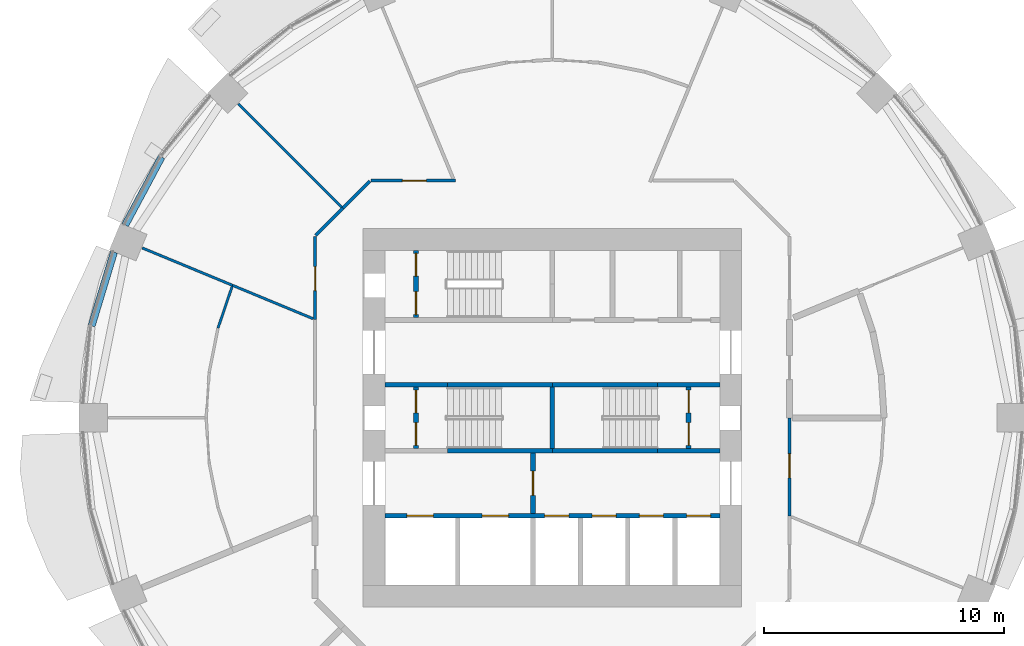
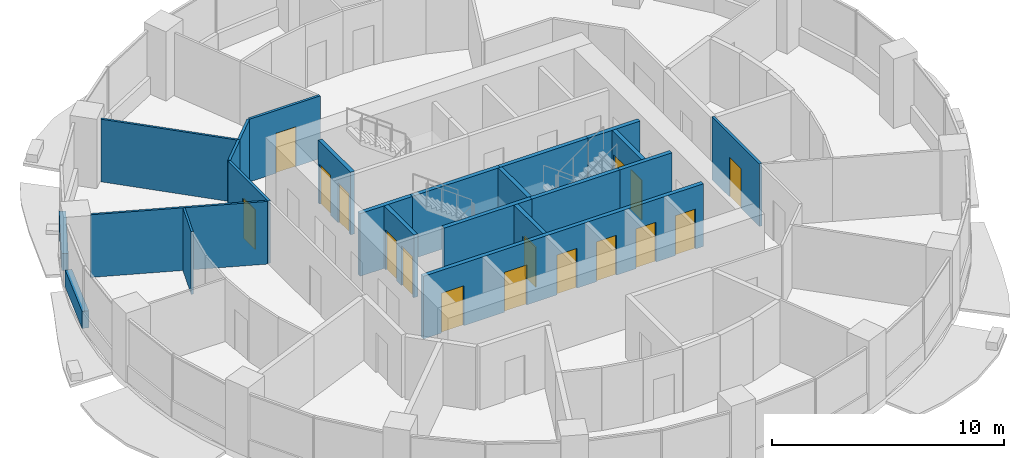
# One storey, part 9 of 15: 24 walls, 16 doors, 16 openings.
"""IFC4 building model written with IfcOpenShell, lengths in metres."""

from ifc_helpers import new_model, si_unit, direction, frame, frame_2d, origin, place, context, subcontext, project, spatial, rectangle, extrude, material, layer, layer_set, type_object, element, fill, save


model = new_model("IFC4")

# Units and contexts
model_context = context("Model", 3, precision=1e-05, world=origin(), true_north=direction((0.0, 1.0)))
body_context = subcontext(model_context, "Body", "Model", "MODEL_VIEW")
ifc_project = project(units=[si_unit("LENGTHUNIT", "METRE"), si_unit("AREAUNIT", "SQUARE_METRE"), si_unit("VOLUMEUNIT", "CUBIC_METRE"), si_unit("PLANEANGLEUNIT", "RADIAN"), si_unit("MASSUNIT", "GRAM", prefix="KILO")], contexts=[model_context])

# Site, building, storey
site_placement = place(None, origin())
site = spatial("IfcSite", under=ifc_project, at=site_placement, CompositionType="ELEMENT")
building_placement = place(site_placement, origin())
building = spatial("IfcBuilding", under=site, at=building_placement, Name="Polderwave Tower", CompositionType="ELEMENT")
storey_placement = place(building_placement, frame((0.0, 0.0, 40.800048828125)))
storey = spatial("IfcBuildingStorey", under=building, at=storey_placement, Name="L10", CompositionType="ELEMENT", Elevation=40.800048828125)

# Walls
ifc_material_1 = material(Name="Concrete C50/60 (board-marked)", Category="concrete")
ifc_layer_1 = layer(ifc_material_1, 0.300048828125)
ifc_layer_set_1 = layer_set([ifc_layer_1], Name="Concrete spandrel upstand C50/60")
wall_type_1 = type_object("IfcWallType", Name="Concrete spandrel upstand C50/60", PredefinedType="SOLIDWALL", material=ifc_layer_set_1)
wall_1_placement = place(storey_placement, frame((-16.27001953125, 10.853759765625, 0.0), z_axis=(0.0, 0.0, 1.0), x_axis=(-0.471284265614, -0.881981372243, 0.0)))
element("IfcWall", 1, at=wall_1_placement, inside=storey, type_object=wall_type_1, Name="Spandrel L10 7b", PredefinedType="SOLIDWALL", context=body_context, shape_type="SweptSolid", body=[
    extrude(rectangle(XDim=3.20361328125, YDim=0.300048828125, at=frame_2d((1.601806640625, 0.0))), origin(), (0.0, 0.0, 1.0), 0.89990234375),
])
wall_2_placement = place(storey_placement, frame((-18.24951171875, 6.89453125, 0.0), z_axis=(0.0, 0.0, 1.0), x_axis=(-0.290472877795, -0.956883225512, 0.0)))
element("IfcWall", 2, at=wall_2_placement, inside=storey, type_object=wall_type_1, Name="Spandrel L10 8a", PredefinedType="SOLIDWALL", context=body_context, shape_type="SweptSolid", body=[
    extrude(rectangle(XDim=3.202392578125, YDim=0.300048828125, at=frame_2d((1.60107421875, 0.0))), origin(), (0.0, 0.0, 1.0), 0.89990234375),
])

# Wall, opening, door
ifc_material_2 = material(Name="Gypsum board partition")
ifc_layer_2 = layer(ifc_material_2, 0.199951171875)
ifc_layer_set_2 = layer_set([ifc_layer_2], Name="Core room partition 200")
wall_type_2 = type_object("IfcWallType", Name="Core room partition 200", PredefinedType="PARTITIONING", material=ifc_layer_set_2)
wall_3_placement = place(storey_placement, frame((-0.800048828125, -3.97412109375, 0.0), z_axis=(0.0, 0.0, 1.0), x_axis=(0.0, 1.0, 0.0)))
wall_3 = element("IfcWall", 3, at=wall_3_placement, inside=storey, type_object=wall_type_2, Name="L10 fire-fighting lobby wall", PredefinedType="PARTITIONING", context=body_context, shape_type="SweptSolid", body=[
    extrude(rectangle(XDim=2.4990234375, YDim=0.199951171875, at=frame_2d((1.24951171875, 0.0))), origin(), (0.0, 0.0, 1.0), 3.300048828125),
])
opening_1_placement = place(wall_3_placement, frame((0.74951171875, 0.0, 0.0)))
opening_1 = element("IfcOpeningElement", 4, at=opening_1_placement, cuts=wall_3, Name="Opening L10-D13", PredefinedType="OPENING", context=body_context, shape_type="SweptSolid", body=[
    extrude(rectangle(XDim=1.0, YDim=2.10009765625, at=frame_2d((0.5, 1.050048828125))), frame((0.0, 0.10986328125, 0.0), z_axis=(0.0, -1.0, 0.0), x_axis=(1.0, 0.0, 0.0)), (0.0, 0.0, 1.0), 0.219970703125),
])
ifc_material_3 = material(Name="Steel fire door", Category="steel")
door_type_1 = type_object("IfcDoorType", Name="Lobby fire door 1000", OperationType="NOTDEFINED", PredefinedType="DOOR", material=ifc_material_3)
door_1_placement = place(opening_1_placement, frame((1.0, 0.0, 0.0), z_axis=(0.0, 0.0, 1.0), x_axis=(-1.0, 0.0, 0.0)))
door_1 = element("IfcDoor", 5, at=door_1_placement, inside=storey, type_object=door_type_1, Name="Fire-fighting lobby door", OperationType="SINGLE_SWING_LEFT", OverallHeight=2.10009765625, OverallWidth=1.0, PredefinedType="DOOR", context=body_context, shape_type="SweptSolid", body=[
    extrude(rectangle(XDim=1.0, YDim=2.10009765625, at=frame_2d((0.5, 1.050048828125))), frame((0.0, 0.02490234375, 0.0), z_axis=(0.0, -1.0, 0.0), x_axis=(1.0, 0.0, 0.0)), (0.0, 0.0, 1.0), 0.050048828125),
])
fill(opening_1, door_1)

# Wall, openings, doors
wall_4_placement = place(storey_placement, frame((-5.674072265625, -1.27490234375, 0.0), z_axis=(0.0, 0.0, 1.0), x_axis=(0.0, 1.0, 0.0)))
wall_4 = element("IfcWall", 6, at=wall_4_placement, inside=storey, type_object=wall_type_2, Name="L10 smoke lobby wall A", PredefinedType="PARTITIONING", context=body_context, shape_type="SweptSolid", body=[
    extrude(rectangle(XDim=2.5498046875, YDim=0.199951171875, at=frame_2d((1.27490234375, 0.0))), origin(), (0.0, 0.0, 1.0), 3.300048828125),
])
opening_2_placement = place(wall_4_placement, frame((0.125, 0.0, 0.0)))
opening_2 = element("IfcOpeningElement", 7, at=opening_2_placement, cuts=wall_4, Name="Opening L10-D07", PredefinedType="OPENING", context=body_context, shape_type="SweptSolid", body=[
    extrude(rectangle(XDim=0.949951171875, YDim=2.10009765625, at=frame_2d((0.47509765625, 1.050048828125))), frame((0.0, 0.10986328125, 0.0), z_axis=(0.0, -1.0, 0.0), x_axis=(1.0, 0.0, 0.0)), (0.0, 0.0, 1.0), 0.219970703125),
])
opening_3_placement = place(wall_4_placement, frame((1.47509765625, 0.0, 0.0)))
opening_3 = element("IfcOpeningElement", 8, at=opening_3_placement, cuts=wall_4, Name="Opening L10-D08", PredefinedType="OPENING", context=body_context, shape_type="SweptSolid", body=[
    extrude(rectangle(XDim=0.949951171875, YDim=2.10009765625, at=frame_2d((0.47509765625, 1.050048828125))), frame((0.0, 0.10986328125, 0.0), z_axis=(0.0, -1.0, 0.0), x_axis=(1.0, 0.0, 0.0)), (0.0, 0.0, 1.0), 0.219970703125),
])
door_type_2 = type_object("IfcDoorType", Name="Smoke lobby door 950", OperationType="NOTDEFINED", PredefinedType="DOOR", material=ifc_material_3)
door_2_placement = place(opening_2_placement, origin())
door_2 = element("IfcDoor", 9, at=door_2_placement, inside=storey, type_object=door_type_2, Name="Stair A smoke lobby inner door", OperationType="SINGLE_SWING_LEFT", OverallHeight=2.10009765625, OverallWidth=0.949951171875, PredefinedType="DOOR", context=body_context, shape_type="SweptSolid", body=[
    extrude(rectangle(XDim=0.949951171875, YDim=2.10009765625, at=frame_2d((0.47509765625, 1.050048828125))), frame((0.0, 0.02490234375, 0.0), z_axis=(0.0, -1.0, 0.0), x_axis=(1.0, 0.0, 0.0)), (0.0, 0.0, 1.0), 0.050048828125),
])
fill(opening_2, door_2)
door_3_placement = place(opening_3_placement, origin())
door_3 = element("IfcDoor", 10, at=door_3_placement, inside=storey, type_object=door_type_2, Name="Stair A smoke lobby inner door", OperationType="SINGLE_SWING_RIGHT", OverallHeight=2.10009765625, OverallWidth=0.949951171875, PredefinedType="DOOR", context=body_context, shape_type="SweptSolid", body=[
    extrude(rectangle(XDim=0.949951171875, YDim=2.10009765625, at=frame_2d((0.47509765625, 1.050048828125))), frame((0.0, 0.02490234375, 0.0), z_axis=(0.0, -1.0, 0.0), x_axis=(1.0, 0.0, 0.0)), (0.0, 0.0, 1.0), 0.050048828125),
])
fill(opening_3, door_3)

wall_5_placement = place(storey_placement, frame((5.674072265625, -1.27490234375, 0.0), z_axis=(0.0, 0.0, 1.0), x_axis=(0.0, 1.0, 0.0)))
wall_5 = element("IfcWall", 11, at=wall_5_placement, inside=storey, type_object=wall_type_2, Name="L10 smoke lobby wall B", PredefinedType="PARTITIONING", context=body_context, shape_type="SweptSolid", body=[
    extrude(rectangle(XDim=2.5498046875, YDim=0.199951171875, at=frame_2d((1.27490234375, 0.0))), origin(), (0.0, 0.0, 1.0), 3.300048828125),
])
opening_4_placement = place(wall_5_placement, frame((0.125, 0.0, 0.0)))
opening_4 = element("IfcOpeningElement", 12, at=opening_4_placement, cuts=wall_5, Name="Opening L10-D09", PredefinedType="OPENING", context=body_context, shape_type="SweptSolid", body=[
    extrude(rectangle(XDim=0.949951171875, YDim=2.10009765625, at=frame_2d((0.47509765625, 1.050048828125))), frame((0.0, 0.10986328125, 0.0), z_axis=(0.0, -1.0, 0.0), x_axis=(1.0, 0.0, 0.0)), (0.0, 0.0, 1.0), 0.219970703125),
])
opening_5_placement = place(wall_5_placement, frame((1.47509765625, 0.0, 0.0)))
opening_5 = element("IfcOpeningElement", 13, at=opening_5_placement, cuts=wall_5, Name="Opening L10-D10", PredefinedType="OPENING", context=body_context, shape_type="SweptSolid", body=[
    extrude(rectangle(XDim=0.949951171875, YDim=2.10009765625, at=frame_2d((0.47509765625, 1.050048828125))), frame((0.0, 0.10986328125, 0.0), z_axis=(0.0, -1.0, 0.0), x_axis=(1.0, 0.0, 0.0)), (0.0, 0.0, 1.0), 0.219970703125),
])
door_4_placement = place(opening_4_placement, frame((0.949951171875, 0.0, 0.0), z_axis=(0.0, 0.0, 1.0), x_axis=(-1.0, 0.0, 0.0)))
door_4 = element("IfcDoor", 14, at=door_4_placement, inside=storey, type_object=door_type_2, Name="Stair B smoke lobby inner door", OperationType="SINGLE_SWING_RIGHT", OverallHeight=2.10009765625, OverallWidth=0.949951171875, PredefinedType="DOOR", context=body_context, shape_type="SweptSolid", body=[
    extrude(rectangle(XDim=0.949951171875, YDim=2.10009765625, at=frame_2d((0.47509765625, 1.050048828125))), frame((0.0, 0.02490234375, 0.0), z_axis=(0.0, -1.0, 0.0), x_axis=(1.0, 0.0, 0.0)), (0.0, 0.0, 1.0), 0.050048828125),
])
fill(opening_4, door_4)
door_5_placement = place(opening_5_placement, frame((0.949951171875, 0.0, 0.0), z_axis=(0.0, 0.0, 1.0), x_axis=(-1.0, 0.0, 0.0)))
door_5 = element("IfcDoor", 15, at=door_5_placement, inside=storey, type_object=door_type_2, Name="Stair B smoke lobby inner door", OperationType="SINGLE_SWING_LEFT", OverallHeight=2.10009765625, OverallWidth=0.949951171875, PredefinedType="DOOR", context=body_context, shape_type="SweptSolid", body=[
    extrude(rectangle(XDim=0.949951171875, YDim=2.10009765625, at=frame_2d((0.47509765625, 1.050048828125))), frame((0.0, 0.02490234375, 0.0), z_axis=(0.0, -1.0, 0.0), x_axis=(1.0, 0.0, 0.0)), (0.0, 0.0, 1.0), 0.050048828125),
])
fill(opening_5, door_5)

wall_6_placement = place(storey_placement, frame((-5.674072265625, 4.174072265625, 0.0), z_axis=(0.0, 0.0, 1.0), x_axis=(0.0, 1.0, 0.0)))
wall_6 = element("IfcWall", 16, at=wall_6_placement, inside=storey, type_object=wall_type_2, Name="L10 smoke lobby wall C", PredefinedType="PARTITIONING", context=body_context, shape_type="SweptSolid", body=[
    extrude(rectangle(XDim=2.800048828125, YDim=0.199951171875, at=frame_2d((1.39990234375, 0.0))), origin(), (0.0, 0.0, 1.0), 3.300048828125),
])
opening_6_placement = place(wall_6_placement, frame((0.125, 0.0, 0.0)))
opening_6 = element("IfcOpeningElement", 17, at=opening_6_placement, cuts=wall_6, Name="Opening L10-D11", PredefinedType="OPENING", context=body_context, shape_type="SweptSolid", body=[
    extrude(rectangle(XDim=0.949951171875, YDim=2.10009765625, at=frame_2d((0.47509765625, 1.050048828125))), frame((0.0, 0.10986328125, 0.0), z_axis=(0.0, -1.0, 0.0), x_axis=(1.0, 0.0, 0.0)), (0.0, 0.0, 1.0), 0.219970703125),
])
opening_7_placement = place(wall_6_placement, frame((1.72509765625, 0.0, 0.0)))
opening_7 = element("IfcOpeningElement", 18, at=opening_7_placement, cuts=wall_6, Name="Opening L10-D12", PredefinedType="OPENING", context=body_context, shape_type="SweptSolid", body=[
    extrude(rectangle(XDim=0.949951171875, YDim=2.10009765625, at=frame_2d((0.47509765625, 1.050048828125))), frame((0.0, 0.10986328125, 0.0), z_axis=(0.0, -1.0, 0.0), x_axis=(1.0, 0.0, 0.0)), (0.0, 0.0, 1.0), 0.219970703125),
])
door_6_placement = place(opening_6_placement, origin())
door_6 = element("IfcDoor", 19, at=door_6_placement, inside=storey, type_object=door_type_2, Name="Stair C smoke lobby inner door", OperationType="SINGLE_SWING_LEFT", OverallHeight=2.10009765625, OverallWidth=0.949951171875, PredefinedType="DOOR", context=body_context, shape_type="SweptSolid", body=[
    extrude(rectangle(XDim=0.949951171875, YDim=2.10009765625, at=frame_2d((0.47509765625, 1.050048828125))), frame((0.0, 0.02490234375, 0.0), z_axis=(0.0, -1.0, 0.0), x_axis=(1.0, 0.0, 0.0)), (0.0, 0.0, 1.0), 0.050048828125),
])
fill(opening_6, door_6)
door_7_placement = place(opening_7_placement, origin())
door_7 = element("IfcDoor", 20, at=door_7_placement, inside=storey, type_object=door_type_2, Name="Stair C smoke lobby inner door", OperationType="SINGLE_SWING_RIGHT", OverallHeight=2.10009765625, OverallWidth=0.949951171875, PredefinedType="DOOR", context=body_context, shape_type="SweptSolid", body=[
    extrude(rectangle(XDim=0.949951171875, YDim=2.10009765625, at=frame_2d((0.47509765625, 1.050048828125))), frame((0.0, 0.02490234375, 0.0), z_axis=(0.0, -1.0, 0.0), x_axis=(1.0, 0.0, 0.0)), (0.0, 0.0, 1.0), 0.050048828125),
])
fill(opening_7, door_7)

ifc_material_4 = material(Name="Concrete C50/60", Category="concrete")
ifc_layer_3 = layer(ifc_material_4, 0.199951171875)
ifc_layer_set_3 = layer_set([ifc_layer_3], Name="Core web wall 200")
wall_type_3 = type_object("IfcWallType", Name="Core web wall 200", PredefinedType="SHEAR", material=ifc_layer_set_3)
wall_7_placement = place(storey_placement, frame((-6.97412109375, -4.073974609375, 0.0), z_axis=(0.0, 0.0, 1.0), x_axis=(1.0, 0.0, 0.0)))
wall_7 = element("IfcWall", 21, at=wall_7_placement, inside=storey, type_object=wall_type_3, Name="L10 south front wall", PredefinedType="SHEAR", context=body_context, shape_type="SweptSolid", body=[
    extrude(rectangle(XDim=13.9482421875, YDim=0.199951171875, at=frame_2d((6.97412109375, 0.0))), origin(), (0.0, 0.0, 1.0), 3.300048828125),
])
opening_8_placement = place(wall_7_placement, frame((0.91845703125, 0.0, 0.0)))
opening_8 = element("IfcOpeningElement", 22, at=opening_8_placement, cuts=wall_7, Name="Opening L10-D01", PredefinedType="OPENING", context=body_context, shape_type="SweptSolid", body=[
    extrude(rectangle(XDim=1.10009765625, YDim=2.10009765625, at=frame_2d((0.550048828125, 1.050048828125))), frame((0.0, 0.10986328125, 0.0), z_axis=(0.0, -1.0, 0.0), x_axis=(1.0, 0.0, 0.0)), (0.0, 0.0, 1.0), 0.219970703125),
])
opening_9_placement = place(wall_7_placement, frame((4.055419921875, 0.0, 0.0)))
opening_9 = element("IfcOpeningElement", 23, at=opening_9_placement, cuts=wall_7, Name="Opening L10-D02", PredefinedType="OPENING", context=body_context, shape_type="SweptSolid", body=[
    extrude(rectangle(XDim=1.10009765625, YDim=2.10009765625, at=frame_2d((0.550048828125, 1.050048828125))), frame((0.0, 0.10986328125, 0.0), z_axis=(0.0, -1.0, 0.0), x_axis=(1.0, 0.0, 0.0)), (0.0, 0.0, 1.0), 0.219970703125),
])
opening_10_placement = place(wall_7_placement, frame((6.658203125, 0.0, 0.0)))
opening_10 = element("IfcOpeningElement", 24, at=opening_10_placement, cuts=wall_7, Name="Opening L10-D03", PredefinedType="OPENING", context=body_context, shape_type="SweptSolid", body=[
    extrude(rectangle(XDim=1.0, YDim=2.10009765625, at=frame_2d((0.5, 1.050048828125))), frame((0.0, 0.10986328125, 0.0), z_axis=(0.0, -1.0, 0.0), x_axis=(1.0, 0.0, 0.0)), (0.0, 0.0, 1.0), 0.219970703125),
])
opening_11_placement = place(wall_7_placement, frame((8.626708984375, 0.0, 0.0)))
opening_11 = element("IfcOpeningElement", 25, at=opening_11_placement, cuts=wall_7, Name="Opening L10-D04", PredefinedType="OPENING", context=body_context, shape_type="SweptSolid", body=[
    extrude(rectangle(XDim=1.0, YDim=2.10009765625, at=frame_2d((0.5, 1.050048828125))), frame((0.0, 0.10986328125, 0.0), z_axis=(0.0, -1.0, 0.0), x_axis=(1.0, 0.0, 0.0)), (0.0, 0.0, 1.0), 0.219970703125),
])
opening_12_placement = place(wall_7_placement, frame((10.59521484375, 0.0, 0.0)))
opening_12 = element("IfcOpeningElement", 26, at=opening_12_placement, cuts=wall_7, Name="Opening L10-D05", PredefinedType="OPENING", context=body_context, shape_type="SweptSolid", body=[
    extrude(rectangle(XDim=1.0, YDim=2.10009765625, at=frame_2d((0.5, 1.050048828125))), frame((0.0, 0.10986328125, 0.0), z_axis=(0.0, -1.0, 0.0), x_axis=(1.0, 0.0, 0.0)), (0.0, 0.0, 1.0), 0.219970703125),
])
opening_13_placement = place(wall_7_placement, frame((12.563720703125, 0.0, 0.0)))
opening_13 = element("IfcOpeningElement", 27, at=opening_13_placement, cuts=wall_7, Name="Opening L10-D06", PredefinedType="OPENING", context=body_context, shape_type="SweptSolid", body=[
    extrude(rectangle(XDim=1.0, YDim=2.10009765625, at=frame_2d((0.5, 1.050048828125))), frame((0.0, 0.10986328125, 0.0), z_axis=(0.0, -1.0, 0.0), x_axis=(1.0, 0.0, 0.0)), (0.0, 0.0, 1.0), 0.219970703125),
])
ifc_material_5 = material(Name="Stainless steel", Category="steel")
door_type_3 = type_object("IfcDoorType", Name="Fire-fighting lift landing door 1100", OperationType="DOUBLE_DOOR_SLIDING", PredefinedType="DOOR", material=ifc_material_5)
door_8_placement = place(opening_8_placement, origin())
door_8 = element("IfcDoor", 28, at=door_8_placement, inside=storey, type_object=door_type_3, Name="Fire-fighting lift FF1 landing door", OperationType="DOUBLE_DOOR_SLIDING", OverallHeight=2.10009765625, OverallWidth=1.10009765625, PredefinedType="DOOR", context=body_context, shape_type="SweptSolid", body=[
    extrude(rectangle(XDim=1.10009765625, YDim=2.10009765625, at=frame_2d((0.550048828125, 1.050048828125))), frame((0.0, 0.02490234375, 0.0), z_axis=(0.0, -1.0, 0.0), x_axis=(1.0, 0.0, 0.0)), (0.0, 0.0, 1.0), 0.050048828125),
])
fill(opening_8, door_8)
door_9_placement = place(opening_9_placement, origin())
door_9 = element("IfcDoor", 29, at=door_9_placement, inside=storey, type_object=door_type_3, Name="Fire-fighting lift FF2 landing door", OperationType="DOUBLE_DOOR_SLIDING", OverallHeight=2.10009765625, OverallWidth=1.10009765625, PredefinedType="DOOR", context=body_context, shape_type="SweptSolid", body=[
    extrude(rectangle(XDim=1.10009765625, YDim=2.10009765625, at=frame_2d((0.550048828125, 1.050048828125))), frame((0.0, 0.02490234375, 0.0), z_axis=(0.0, -1.0, 0.0), x_axis=(1.0, 0.0, 0.0)), (0.0, 0.0, 1.0), 0.050048828125),
])
fill(opening_9, door_9)
door_type_4 = type_object("IfcDoorType", Name="Lift landing door 1000", OperationType="DOUBLE_DOOR_SLIDING", PredefinedType="DOOR", material=ifc_material_5)
door_10_placement = place(opening_10_placement, origin())
door_10 = element("IfcDoor", 30, at=door_10_placement, inside=storey, type_object=door_type_4, Name="Lift LL1 landing door", OperationType="DOUBLE_DOOR_SLIDING", OverallHeight=2.10009765625, OverallWidth=1.0, PredefinedType="DOOR", context=body_context, shape_type="SweptSolid", body=[
    extrude(rectangle(XDim=1.0, YDim=2.10009765625, at=frame_2d((0.5, 1.050048828125))), frame((0.0, 0.02490234375, 0.0), z_axis=(0.0, -1.0, 0.0), x_axis=(1.0, 0.0, 0.0)), (0.0, 0.0, 1.0), 0.050048828125),
])
fill(opening_10, door_10)
door_11_placement = place(opening_11_placement, origin())
door_11 = element("IfcDoor", 31, at=door_11_placement, inside=storey, type_object=door_type_4, Name="Lift LL2 landing door", OperationType="DOUBLE_DOOR_SLIDING", OverallHeight=2.10009765625, OverallWidth=1.0, PredefinedType="DOOR", context=body_context, shape_type="SweptSolid", body=[
    extrude(rectangle(XDim=1.0, YDim=2.10009765625, at=frame_2d((0.5, 1.050048828125))), frame((0.0, 0.02490234375, 0.0), z_axis=(0.0, -1.0, 0.0), x_axis=(1.0, 0.0, 0.0)), (0.0, 0.0, 1.0), 0.050048828125),
])
fill(opening_11, door_11)
door_12_placement = place(opening_12_placement, origin())
door_12 = element("IfcDoor", 32, at=door_12_placement, inside=storey, type_object=door_type_4, Name="Lift LL3 landing door", OperationType="DOUBLE_DOOR_SLIDING", OverallHeight=2.10009765625, OverallWidth=1.0, PredefinedType="DOOR", context=body_context, shape_type="SweptSolid", body=[
    extrude(rectangle(XDim=1.0, YDim=2.10009765625, at=frame_2d((0.5, 1.050048828125))), frame((0.0, 0.02490234375, 0.0), z_axis=(0.0, -1.0, 0.0), x_axis=(1.0, 0.0, 0.0)), (0.0, 0.0, 1.0), 0.050048828125),
])
fill(opening_12, door_12)
door_13_placement = place(opening_13_placement, origin())
door_13 = element("IfcDoor", 33, at=door_13_placement, inside=storey, type_object=door_type_4, Name="Lift LL4 landing door", OperationType="DOUBLE_DOOR_SLIDING", OverallHeight=2.10009765625, OverallWidth=1.0, PredefinedType="DOOR", context=body_context, shape_type="SweptSolid", body=[
    extrude(rectangle(XDim=1.0, YDim=2.10009765625, at=frame_2d((0.5, 1.050048828125))), frame((0.0, 0.02490234375, 0.0), z_axis=(0.0, -1.0, 0.0), x_axis=(1.0, 0.0, 0.0)), (0.0, 0.0, 1.0), 0.050048828125),
])
fill(opening_13, door_13)

# Walls
for number, where, z_axis, x_axis, name in (
    (34, (-4.3740234375, -1.375, 0.0), (0.0, 0.0, 1.0), (1.0, 0.0, 0.0), "L10 south stair wall 2"),
    (35, (0.0, -1.375, 0.0), (0.0, 0.0, 1.0), (1.0, 0.0, 0.0), "L10 south stair wall 3"),
):
    element("IfcWall", number, at=place(storey_placement, frame(where, z_axis=z_axis, x_axis=x_axis)), inside=storey, type_object=wall_type_3, Name=name, PredefinedType="SHEAR", context=body_context, shape_type="SweptSolid", body=[
        extrude(rectangle(XDim=4.3740234375, YDim=0.199951171875, at=frame_2d((2.18701171875, 0.0))), origin(), (0.0, 0.0, 1.0), 3.300048828125),
    ])
for number, where, z_axis, x_axis, name in (
    (36, (4.3740234375, -1.375, 0.0), (0.0, 0.0, 1.0), (1.0, 0.0, 0.0), "L10 south stair wall 4"),
    (37, (-6.97412109375, 1.375, 0.0), (0.0, 0.0, 1.0), (1.0, 0.0, 0.0), "L10 north stair wall 1"),
):
    element("IfcWall", number, at=place(storey_placement, frame(where, z_axis=z_axis, x_axis=x_axis)), inside=storey, type_object=wall_type_3, Name=name, PredefinedType="SHEAR", context=body_context, shape_type="SweptSolid", body=[
        extrude(rectangle(XDim=2.60009765625, YDim=0.199951171875, at=frame_2d((1.300048828125, 0.0))), origin(), (0.0, 0.0, 1.0), 3.300048828125),
    ])
for number, where, z_axis, x_axis, name in (
    (38, (-4.3740234375, 1.375, 0.0), (0.0, 0.0, 1.0), (1.0, 0.0, 0.0), "L10 north stair wall 2"),
    (39, (0.0, 1.375, 0.0), (0.0, 0.0, 1.0), (1.0, 0.0, 0.0), "L10 north stair wall 3"),
):
    element("IfcWall", number, at=place(storey_placement, frame(where, z_axis=z_axis, x_axis=x_axis)), inside=storey, type_object=wall_type_3, Name=name, PredefinedType="SHEAR", context=body_context, shape_type="SweptSolid", body=[
        extrude(rectangle(XDim=4.3740234375, YDim=0.199951171875, at=frame_2d((2.18701171875, 0.0))), origin(), (0.0, 0.0, 1.0), 3.300048828125),
    ])
wall_8_placement = place(storey_placement, frame((4.3740234375, 1.375, 0.0), z_axis=(0.0, 0.0, 1.0), x_axis=(1.0, 0.0, 0.0)))
element("IfcWall", 40, at=wall_8_placement, inside=storey, type_object=wall_type_3, Name="L10 north stair wall 4", PredefinedType="SHEAR", context=body_context, shape_type="SweptSolid", body=[
    extrude(rectangle(XDim=2.60009765625, YDim=0.199951171875, at=frame_2d((1.300048828125, 0.0))), origin(), (0.0, 0.0, 1.0), 3.300048828125),
])
wall_9_placement = place(storey_placement, frame((0.0, -1.27490234375, 0.0), z_axis=(0.0, 0.0, 1.0), x_axis=(0.0, 1.0, 0.0)))
element("IfcWall", 41, at=wall_9_placement, inside=storey, type_object=wall_type_3, Name="L10 wall between the stairs", PredefinedType="SHEAR", context=body_context, shape_type="SweptSolid", body=[
    extrude(rectangle(XDim=2.5498046875, YDim=0.199951171875, at=frame_2d((1.27490234375, 0.0))), origin(), (0.0, 0.0, 1.0), 3.300048828125),
])

# Wall, opening, door
ifc_material_6 = material(Name="Fire-resisting board on steel studs", Category="steel")
ifc_layer_4 = layer(ifc_material_6, 0.125)
ifc_layer_set_4 = layer_set([ifc_layer_4], Name="Corridor wall 125 mm EI 60")
wall_type_4 = type_object("IfcWallType", Name="Corridor wall 125 mm EI 60", PredefinedType="PARTITIONING", material=ifc_layer_set_4)
wall_10_placement = place(storey_placement, frame((9.8740234375, 0.0, 0.0), z_axis=(0.0, 0.0, 1.0), x_axis=(0.0, -1.0, 0.0)))
wall_10 = element("IfcWall", 42, at=wall_10_placement, inside=storey, type_object=wall_type_4, Name="IN-L10-W006", PredefinedType="PARTITIONING", context=body_context, shape_type="SweptSolid", body=[
    extrude(rectangle(XDim=4.08984375, YDim=0.125, at=frame_2d((2.044921875, 0.0))), origin(), (0.0, 0.0, 1.0), 3.300048828125),
])
opening_14_placement = place(wall_10_placement, frame((1.5, 0.0, 0.0)))
opening_14 = element("IfcOpeningElement", 43, at=opening_14_placement, cuts=wall_10, Name="Opening L10-D53", PredefinedType="OPENING", context=body_context, shape_type="SweptSolid", body=[
    extrude(rectangle(XDim=1.0, YDim=2.10009765625, at=frame_2d((0.5, 1.050048828125))), frame((0.0, 0.072509765625, 0.0), z_axis=(0.0, -1.0, 0.0), x_axis=(1.0, 0.0, 0.0)), (0.0, 0.0, 1.0), 0.14501953125),
])
ifc_material_7 = material(Name="Timber fire door leaf", Category="wood")
door_type_5 = type_object("IfcDoorType", Name="Fire door FD30S 1000 x 2100", OperationType="NOTDEFINED", PredefinedType="DOOR", material=ifc_material_7)
door_14_placement = place(opening_14_placement, origin())
door_14 = element("IfcDoor", 44, at=door_14_placement, inside=storey, type_object=door_type_5, Name="Door L10-D53", OperationType="SINGLE_SWING_LEFT", OverallHeight=2.10009765625, OverallWidth=1.0, PredefinedType="DOOR", context=body_context, shape_type="SweptSolid", body=[
    extrude(rectangle(XDim=1.0, YDim=2.10009765625, at=frame_2d((0.5, 1.050048828125))), frame((0.0, 0.02490234375, 0.0), z_axis=(0.0, -1.0, 0.0), x_axis=(1.0, 0.0, 0.0)), (0.0, 0.0, 1.0), 0.050048828125),
])
fill(opening_14, door_14)

# Wall
wall_11_placement = place(storey_placement, frame((-8.722412109375, 8.722412109375, 0.0), z_axis=(0.0, 0.0, 1.0), x_axis=(0.707030604857, 0.70718294931, 0.0)))
element("IfcWall", 45, at=wall_11_placement, inside=storey, type_object=wall_type_4, Name="IN-L10-W009", PredefinedType="PARTITIONING", context=body_context, shape_type="SweptSolid", body=[
    extrude(rectangle(XDim=1.6025390625, YDim=0.125, at=frame_2d((0.80126953125, 0.0))), origin(), (0.0, 0.0, 1.0), 3.300048828125),
])

# Wall, opening, door
wall_12_placement = place(storey_placement, frame((-7.545166015625, 9.8740234375, 0.0), z_axis=(0.0, 0.0, 1.0), x_axis=(1.0, 0.0, 0.0)))
wall_12 = element("IfcWall", 46, at=wall_12_placement, inside=storey, type_object=wall_type_4, Name="IN-L10-W010", PredefinedType="PARTITIONING", context=body_context, shape_type="SweptSolid", body=[
    extrude(rectangle(XDim=3.517822265625, YDim=0.125, at=frame_2d((1.7587890625, 0.0))), origin(), (0.0, 0.0, 1.0), 3.300048828125),
])
opening_15_placement = place(wall_12_placement, frame((1.300048828125, 0.0, 0.0)))
opening_15 = element("IfcOpeningElement", 47, at=opening_15_placement, cuts=wall_12, Name="Opening L10-D54", PredefinedType="OPENING", context=body_context, shape_type="SweptSolid", body=[
    extrude(rectangle(XDim=1.0, YDim=2.10009765625, at=frame_2d((0.5, 1.050048828125))), frame((0.0, 0.072509765625, 0.0), z_axis=(0.0, -1.0, 0.0), x_axis=(1.0, 0.0, 0.0)), (0.0, 0.0, 1.0), 0.14501953125),
])
door_15_placement = place(opening_15_placement, origin())
door_15 = element("IfcDoor", 48, at=door_15_placement, inside=storey, type_object=door_type_5, Name="Door L10-D54", OperationType="SINGLE_SWING_RIGHT", OverallHeight=2.10009765625, OverallWidth=1.0, PredefinedType="DOOR", context=body_context, shape_type="SweptSolid", body=[
    extrude(rectangle(XDim=1.0, YDim=2.10009765625, at=frame_2d((0.5, 1.050048828125))), frame((0.0, 0.02490234375, 0.0), z_axis=(0.0, -1.0, 0.0), x_axis=(1.0, 0.0, 0.0)), (0.0, 0.0, 1.0), 0.050048828125),
])
fill(opening_15, door_15)

wall_13_placement = place(storey_placement, frame((-9.8740234375, 4.08984375, 0.0), z_axis=(0.0, 0.0, 1.0), x_axis=(0.0, 1.0, 0.0)))
wall_13 = element("IfcWall", 49, at=wall_13_placement, inside=storey, type_object=wall_type_4, Name="IN-L10-W011", PredefinedType="PARTITIONING", context=body_context, shape_type="SweptSolid", body=[
    extrude(rectangle(XDim=3.455322265625, YDim=0.125, at=frame_2d((1.7275390625, 0.0))), origin(), (0.0, 0.0, 1.0), 3.300048828125),
])
opening_16_placement = place(wall_13_placement, frame((1.199951171875, 0.0, 0.0)))
opening_16 = element("IfcOpeningElement", 50, at=opening_16_placement, cuts=wall_13, Name="Opening L10-D55", PredefinedType="OPENING", context=body_context, shape_type="SweptSolid", body=[
    extrude(rectangle(XDim=1.0, YDim=2.10009765625, at=frame_2d((0.5, 1.050048828125))), frame((0.0, 0.072509765625, 0.0), z_axis=(0.0, -1.0, 0.0), x_axis=(1.0, 0.0, 0.0)), (0.0, 0.0, 1.0), 0.14501953125),
])
door_16_placement = place(opening_16_placement, origin())
door_16 = element("IfcDoor", 51, at=door_16_placement, inside=storey, type_object=door_type_5, Name="Door L10-D55", OperationType="SINGLE_SWING_LEFT", OverallHeight=2.10009765625, OverallWidth=1.0, PredefinedType="DOOR", context=body_context, shape_type="SweptSolid", body=[
    extrude(rectangle(XDim=1.0, YDim=2.10009765625, at=frame_2d((0.5, 1.050048828125))), frame((0.0, 0.02490234375, 0.0), z_axis=(0.0, -1.0, 0.0), x_axis=(1.0, 0.0, 0.0)), (0.0, 0.0, 1.0), 0.050048828125),
])
fill(opening_16, door_16)

# Walls
wall_14_placement = place(storey_placement, frame((-9.855712890625, 7.58935546875, 0.0), z_axis=(0.0, 0.0, 1.0), x_axis=(0.70718294931, 0.707030604857, 0.0)))
element("IfcWall", 52, at=wall_14_placement, inside=storey, type_object=wall_type_4, Name="IN-L10-W012", PredefinedType="PARTITIONING", context=body_context, shape_type="SweptSolid", body=[
    extrude(rectangle(XDim=1.6025390625, YDim=0.125, at=frame_2d((0.80126953125, 0.0))), origin(), (0.0, 0.0, 1.0), 3.300048828125),
])
ifc_material_8 = material(Name="Plasterboard on steel studs", Category="steel")
ifc_layer_5 = layer(ifc_material_8, 0.10009765625)
ifc_layer_set_5 = layer_set([ifc_layer_5], Name="Partition 100 mm plasterboard on steel studs")
wall_type_5 = type_object("IfcWallType", Name="Partition 100 mm plasterboard on steel studs", PredefinedType="PARTITIONING", material=ifc_layer_set_5)
wall_15_placement = place(storey_placement, frame((-13.3310546875, 5.46142578125, 0.0), z_axis=(0.0, 0.0, 1.0), x_axis=(-0.321478362794, -0.946916924685, 0.0)))
element("IfcWall", 53, at=wall_15_placement, inside=storey, type_object=wall_type_5, Name="IN-L10-W047", PredefinedType="PARTITIONING", context=body_context, shape_type="SweptSolid", body=[
    extrude(rectangle(XDim=1.82568359375, YDim=0.10009765625, at=frame_2d((0.912841796875, 0.0))), origin(), (0.0, 0.0, 1.0), 3.300048828125),
])
ifc_material_9 = material(Name="Moisture-resistant board on steel studs, tiled", Category="steel")
ifc_layer_6 = layer(ifc_material_9, 0.10498046875)
ifc_layer_set_6 = layer_set([ifc_layer_6], Name="Partition 105 mm wet room board and tile")
wall_type_6 = type_object("IfcWallType", Name="Partition 105 mm wet room board and tile", PredefinedType="PARTITIONING", material=ifc_layer_set_6)
wall_16_placement = place(storey_placement, frame((-8.7666015625, 8.7666015625, 0.0), z_axis=(0.0, 0.0, 1.0), x_axis=(-0.707106781187, 0.707106781187, 0.0)))
element("IfcWall", 54, at=wall_16_placement, inside=storey, type_object=wall_type_6, Name="IN-L10-W042", PredefinedType="PARTITIONING", context=body_context, shape_type="SweptSolid", body=[
    extrude(rectangle(XDim=6.082275390625, YDim=0.10498046875, at=frame_2d((3.041015625, 0.0))), origin(), (0.0, 0.0, 1.0), 3.300048828125),
])
wall_17_placement = place(storey_placement, frame((-13.31298828125, 5.514404296875, 0.0), z_axis=(0.0, 0.0, 1.0), x_axis=(-0.923873536763, 0.382697907061, 0.0)))
element("IfcWall", 55, at=wall_17_placement, inside=storey, type_object=wall_type_6, Name="IN-L10-W043", PredefinedType="PARTITIONING", context=body_context, shape_type="SweptSolid", body=[
    extrude(rectangle(XDim=4.070068359375, YDim=0.10498046875, at=frame_2d((2.03515625, 0.0))), origin(), (0.0, 0.0, 1.0), 3.300048828125),
])
wall_18_placement = place(storey_placement, frame((-9.95654296875, 4.1240234375, 0.0), z_axis=(0.0, 0.0, 1.0), x_axis=(-0.923870220065, 0.382705913825, 0.0)))
element("IfcWall", 56, at=wall_18_placement, inside=storey, type_object=wall_type_6, Name="IN-L10-W044", PredefinedType="PARTITIONING", context=body_context, shape_type="SweptSolid", body=[
    extrude(rectangle(XDim=3.633056640625, YDim=0.10498046875, at=frame_2d((1.81640625, 0.0))), origin(), (0.0, 0.0, 1.0), 3.300048828125),
])

save(model, "model.ifc")
